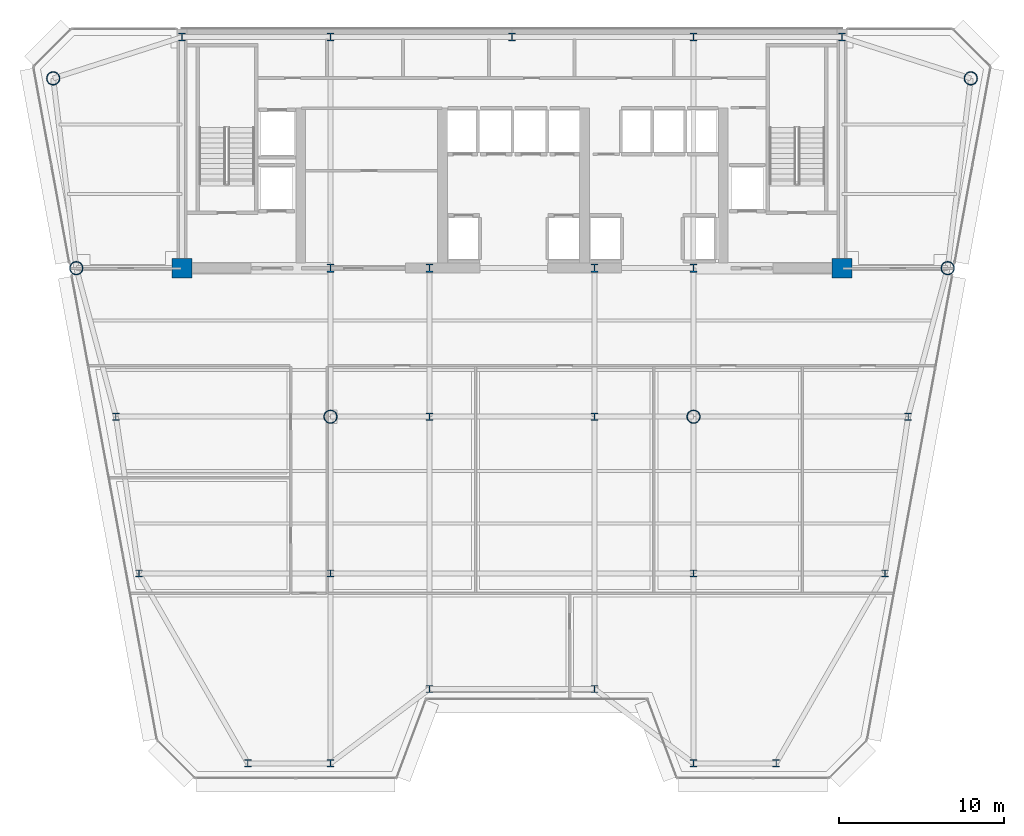
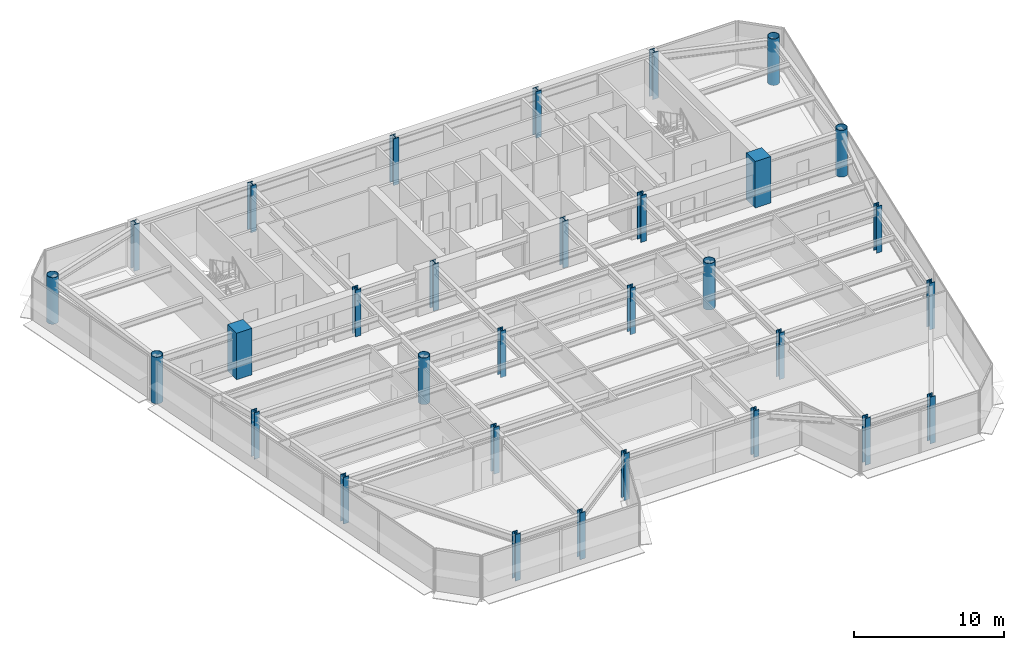
# One storey, part 1 of 16: 31 columns.
"""IFC4 building model written with IfcOpenShell, lengths in metres."""

from ifc_helpers import new_model, si_unit, direction, frame, origin, origin_2d, place, context, subcontext, project, spatial, rectangle, hollow_circle, i_section, extrude, source, transform, mapped, material, material_profile, profile_set, type_object, element, save


model = new_model("IFC4")

# Units and contexts
model_context = context("Model", 3, precision=1e-05, world=origin(), true_north=direction((0.0, 1.0)))
body_context = subcontext(model_context, "Body", "Model", "MODEL_VIEW")
ifc_project = project(units=[si_unit("LENGTHUNIT", "METRE"), si_unit("AREAUNIT", "SQUARE_METRE"), si_unit("VOLUMEUNIT", "CUBIC_METRE"), si_unit("PLANEANGLEUNIT", "RADIAN"), si_unit("MASSUNIT", "GRAM", prefix="KILO")], contexts=[model_context])

# Site, building, storey
site_placement = place(None, origin())
site = spatial("IfcSite", under=ifc_project, at=site_placement, CompositionType="ELEMENT")
building_placement = place(site_placement, origin())
building = spatial("IfcBuilding", under=site, at=building_placement, Name="Vaeldorn Concourse Tower", CompositionType="ELEMENT")
storey_placement = place(building_placement, frame((0.0, 0.0, 188.0)))
storey = spatial("IfcBuildingStorey", under=building, at=storey_placement, Name="L48", CompositionType="ELEMENT", Elevation=188.0)

# Columns
ifc_material_1 = material(Name="Concrete C50/60", Category="concrete")
ifc_material_profile_1 = material_profile(ifc_material_1, rectangle(XDim=1.199951171875, YDim=1.199951171875, at=origin_2d()), Name="RC 1200x1200")
ifc_profile_set_1 = profile_set([ifc_material_profile_1], Name="Concrete C50/60")
column_type_1 = type_object("IfcColumnType", Name="COL-RC1200", PredefinedType="COLUMN", material=ifc_profile_set_1)
shared_shape_1 = source(origin(), body_context, "Body", "SweptSolid", [
    extrude(rectangle(XDim=1.199951171875, YDim=1.199951171875, at=origin_2d()), origin(), (0.0, 0.0, 1.0), 3.800048828125),
])
for number, where, z_axis, x_axis, name in (
    (1, (14.0, 36.5, 0.0), (0.0, 0.0, 1.0), (1.0, 0.0, 0.0), "Column C-FC1 L48"),
    (2, (54.0, 36.5, 0.0), (0.0, 0.0, 1.0), (1.0, 0.0, 0.0), "Column C-FC6 L48"),
):
    element("IfcColumn", number, at=place(storey_placement, frame(where, z_axis=z_axis, x_axis=x_axis)), inside=storey, type_object=column_type_1, Name=name, PredefinedType="COLUMN", context=body_context, shape_type="MappedRepresentation", body=[
        mapped(shared_shape_1, transform((0.0, 0.0, 0.0), scale=1.0)),
    ])
ifc_material_2 = material(Name="Steel S460", Category="steel")
ifc_material_profile_2 = material_profile(ifc_material_2, i_section(OverallWidth=0.431884765625, OverallDepth=0.498046875, WebThickness=0.054931640625, FlangeThickness=0.068115234375, FilletRadius=0.014892578125, at=origin_2d()), Name="HD 400x744")
ifc_profile_set_2 = profile_set([ifc_material_profile_2], Name="Steel S460")
column_type_2 = type_object("IfcColumnType", Name="COL-HD744", PredefinedType="COLUMN", material=ifc_profile_set_2)
shared_shape_2 = source(origin(), body_context, "Body", "SweptSolid", [
    extrude(i_section(OverallWidth=0.431884765625, OverallDepth=0.498046875, WebThickness=0.054931640625, FlangeThickness=0.068115234375, FilletRadius=0.014892578125, at=origin_2d()), origin(), (0.0, 0.0, 1.0), 3.800048828125),
])
for number, where, z_axis, x_axis, name in (
    (3, (23.0, 36.5, 0.0), (0.0, 0.0, 1.0), (1.0, 0.0, 0.0), "Column C-FC2 L48"),
    (4, (29.0, 36.5, 0.0), (0.0, 0.0, 1.0), (1.0, 0.0, 0.0), "Column C-FC3 L48"),
    (5, (39.0, 36.5, 0.0), (0.0, 0.0, 1.0), (1.0, 0.0, 0.0), "Column C-FC4 L48"),
    (6, (45.0, 36.5, 0.0), (0.0, 0.0, 1.0), (1.0, 0.0, 0.0), "Column C-FC5 L48"),
    (7, (14.0, 50.5, 0.0), (0.0, 0.0, 1.0), (1.0, 0.0, 0.0), "Column C-HC1 L48"),
    (8, (23.0, 50.5, 0.0), (0.0, 0.0, 1.0), (1.0, 0.0, 0.0), "Column C-HC2 L48"),
    (9, (34.0, 50.5, 0.0), (0.0, 0.0, 1.0), (1.0, 0.0, 0.0), "Column C-HC3 L48"),
    (10, (45.0, 50.5, 0.0), (0.0, 0.0, 1.0), (1.0, 0.0, 0.0), "Column C-HC4 L48"),
    (11, (54.0, 50.5, 0.0), (0.0, 0.0, 1.0), (1.0, 0.0, 0.0), "Column C-HC5 L48"),
):
    element("IfcColumn", number, at=place(storey_placement, frame(where, z_axis=z_axis, x_axis=x_axis)), inside=storey, type_object=column_type_2, Name=name, PredefinedType="COLUMN", context=body_context, shape_type="MappedRepresentation", body=[
        mapped(shared_shape_2, transform((0.0, 0.0, 0.0), scale=1.0)),
    ])
ifc_material_profile_3 = material_profile(ifc_material_2, hollow_circle(Radius=0.406494140625, WallThickness=0.0400390625, at=origin_2d()), Name="CHS 813x40")
ifc_profile_set_3 = profile_set([ifc_material_profile_3], Name="Steel S460")
column_type_3 = type_object("IfcColumnType", Name="COL-CHS813", PredefinedType="COLUMN", material=ifc_profile_set_3)
shared_shape_3 = source(origin(), body_context, "Body", "SweptSolid", [
    extrude(hollow_circle(Radius=0.406494140625, WallThickness=0.0400390625, at=origin_2d()), origin(), (0.0, 0.0, 1.0), 3.800048828125),
])
for number, where, z_axis, x_axis, name in (
    (12, (6.199951171875, 48.0, 0.0), (0.0, 0.0, 1.0), (1.0, 0.0, 0.0), "Column C-NW1 L48"),
    (13, (7.60009765625, 36.5, 0.0), (0.0, 0.0, 1.0), (1.0, 0.0, 0.0), "Column C-NW2 L48"),
    (14, (61.800048828125, 48.0, 0.0), (0.0, 0.0, 1.0), (1.0, 0.0, 0.0), "Column C-NE1 L48"),
    (15, (60.39990234375, 36.5, 0.0), (0.0, 0.0, 1.0), (1.0, 0.0, 0.0), "Column C-NE2 L48"),
    (16, (23.0, 27.5, 0.0), (0.0, 0.0, 1.0), (1.0, 0.0, 0.0), "Column C-TW1 L48"),
    (17, (45.0, 27.5, 0.0), (0.0, 0.0, 1.0), (1.0, 0.0, 0.0), "Column C-TW4 L48"),
):
    element("IfcColumn", number, at=place(storey_placement, frame(where, z_axis=z_axis, x_axis=x_axis)), inside=storey, type_object=column_type_3, Name=name, PredefinedType="COLUMN", context=body_context, shape_type="MappedRepresentation", body=[
        mapped(shared_shape_3, transform((0.0, 0.0, 0.0), scale=1.0)),
    ])
ifc_material_3 = material(Name="Steel S355", Category="steel")
ifc_material_profile_4 = material_profile(ifc_material_3, i_section(OverallWidth=0.412109375, OverallDepth=0.43505859375, WebThickness=0.035888671875, FlangeThickness=0.050048828125, FilletRadius=0.014892578125, at=origin_2d()), Name="HD 400x463")
ifc_profile_set_4 = profile_set([ifc_material_profile_4], Name="Steel S355")
column_type_4 = type_object("IfcColumnType", Name="COL-HD463F", PredefinedType="COLUMN", material=ifc_profile_set_4)
shared_shape_4 = source(origin(), body_context, "Body", "SweptSolid", [
    extrude(i_section(OverallWidth=0.412109375, OverallDepth=0.43505859375, WebThickness=0.035888671875, FlangeThickness=0.050048828125, FilletRadius=0.014892578125, at=origin_2d()), origin(), (0.0, 0.0, 1.0), 3.800048828125),
])
for number, where, z_axis, x_axis, name in (
    (18, (10.0, 27.5, 0.0), (0.0, 0.0, 1.0), (1.0, 0.0, 0.0), "Column C-FLW1 L48"),
    (19, (11.39990234375, 18.0, 0.0), (0.0, 0.0, 1.0), (1.0, 0.0, 0.0), "Column C-FLW2 L48"),
    (20, (58.0, 27.5, 0.0), (0.0, 0.0, 1.0), (1.0, 0.0, 0.0), "Column C-FLE1 L48"),
    (21, (56.60009765625, 18.0, 0.0), (0.0, 0.0, 1.0), (1.0, 0.0, 0.0), "Column C-FLE2 L48"),
):
    element("IfcColumn", number, at=place(storey_placement, frame(where, z_axis=z_axis, x_axis=x_axis)), inside=storey, type_object=column_type_4, Name=name, PredefinedType="COLUMN", context=body_context, shape_type="MappedRepresentation", body=[
        mapped(shared_shape_4, transform((0.0, 0.0, 0.0), scale=1.0)),
    ])
ifc_material_profile_5 = material_profile(ifc_material_3, i_section(OverallWidth=0.412109375, OverallDepth=0.43505859375, WebThickness=0.035888671875, FlangeThickness=0.050048828125, FilletRadius=0.014892578125, at=origin_2d()), Name="HD 400x463")
ifc_profile_set_5 = profile_set([ifc_material_profile_5], Name="Steel S355")
column_type_5 = type_object("IfcColumnType", Name="COL-HD463T", PredefinedType="COLUMN", material=ifc_profile_set_5)
shared_shape_5 = source(origin(), body_context, "Body", "SweptSolid", [
    extrude(i_section(OverallWidth=0.412109375, OverallDepth=0.43505859375, WebThickness=0.035888671875, FlangeThickness=0.050048828125, FilletRadius=0.014892578125, at=origin_2d()), origin(), (0.0, 0.0, 1.0), 3.800048828125),
])
for number, where, z_axis, x_axis, name in (
    (22, (29.0, 27.5, 0.0), (0.0, 0.0, 1.0), (1.0, 0.0, 0.0), "Column C-TW2 L48"),
    (23, (39.0, 27.5, 0.0), (0.0, 0.0, 1.0), (1.0, 0.0, 0.0), "Column C-TW3 L48"),
    (24, (23.0, 18.0, 0.0), (0.0, 0.0, 1.0), (1.0, 0.0, 0.0), "Column C-TW5 L48"),
    (25, (45.0, 18.0, 0.0), (0.0, 0.0, 1.0), (1.0, 0.0, 0.0), "Column C-TW6 L48"),
    (26, (18.0, 6.5, 0.0), (0.0, 0.0, 1.0), (1.0, 0.0, 0.0), "Column C-SF1 L48"),
    (27, (23.0, 6.5, 0.0), (0.0, 0.0, 1.0), (1.0, 0.0, 0.0), "Column C-SF2 L48"),
    (28, (29.0, 11.0, 0.0), (0.0, 0.0, 1.0), (1.0, 0.0, 0.0), "Column C-SF3 L48"),
    (29, (39.0, 11.0, 0.0), (0.0, 0.0, 1.0), (1.0, 0.0, 0.0), "Column C-SF4 L48"),
    (30, (45.0, 6.5, 0.0), (0.0, 0.0, 1.0), (1.0, 0.0, 0.0), "Column C-SF5 L48"),
    (31, (50.0, 6.5, 0.0), (0.0, 0.0, 1.0), (1.0, 0.0, 0.0), "Column C-SF6 L48"),
):
    element("IfcColumn", number, at=place(storey_placement, frame(where, z_axis=z_axis, x_axis=x_axis)), inside=storey, type_object=column_type_5, Name=name, PredefinedType="COLUMN", context=body_context, shape_type="MappedRepresentation", body=[
        mapped(shared_shape_5, transform((0.0, 0.0, 0.0), scale=1.0)),
    ])

save(model, "model.ifc")
